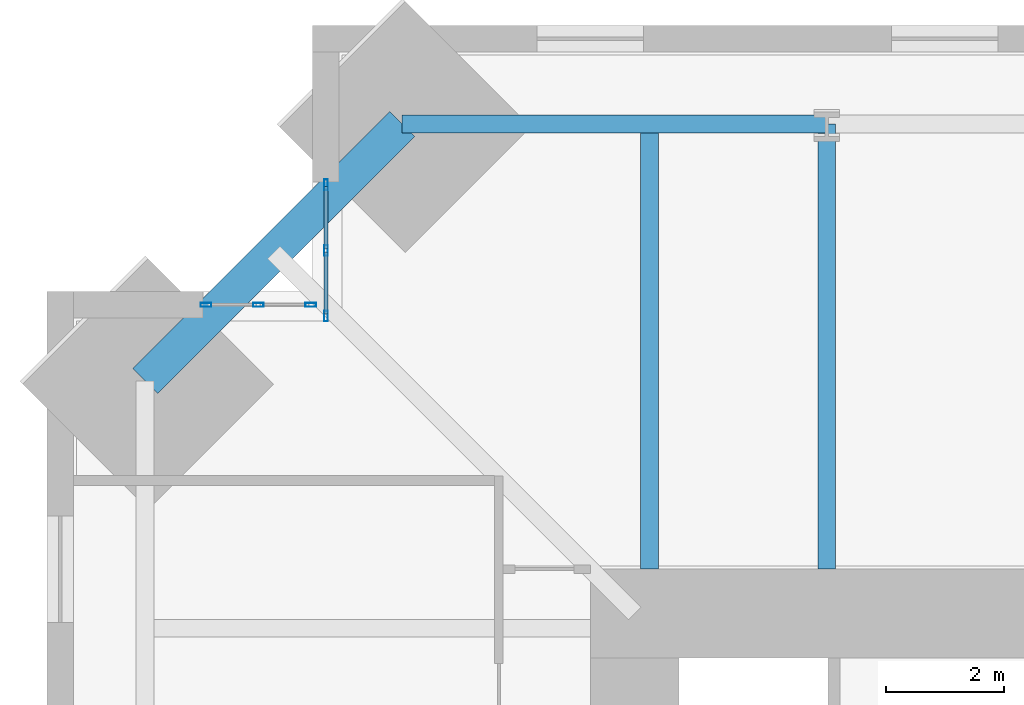
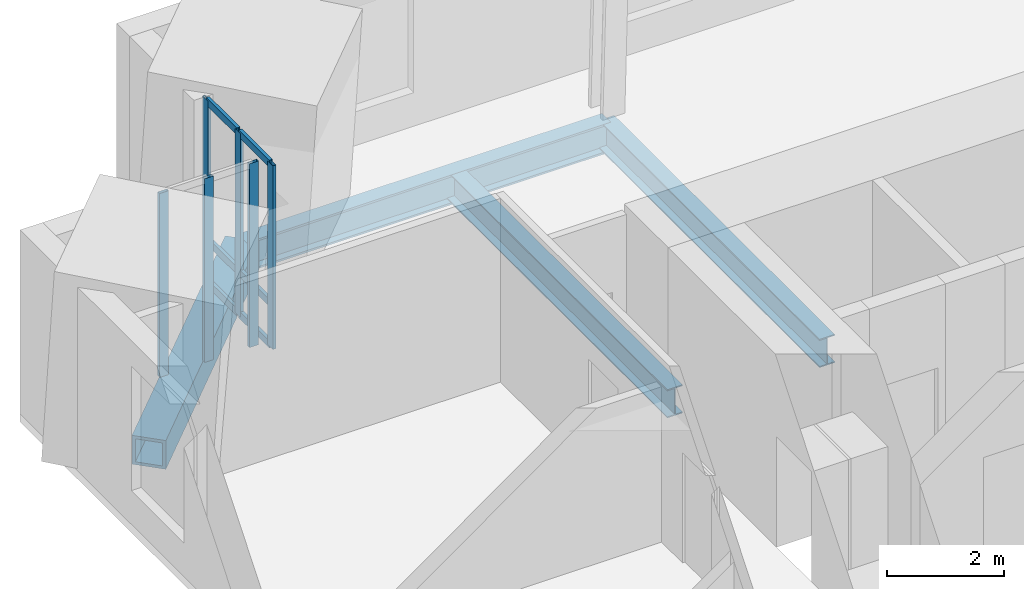
# One storey, part 6 of 15: 12 members, 4 beams, 2 elements without a shape of their own.
"""IFC4 building model written with IfcOpenShell, lengths in metres."""

from ifc_helpers import new_model, si_unit, direction, frame, origin, origin_2d, place, context, subcontext, project, spatial, hollow_rectangle, i_section, extrude, material, material_profile, profile_set, type_object, element, aggregate, save


model = new_model("IFC4")

# Units and contexts
model_context = context("Model", 3, precision=1e-05, world=origin(), true_north=direction((0.0, 1.0)))
body_context = subcontext(model_context, "Body", "Model", "MODEL_VIEW")
ifc_project = project(units=[si_unit("LENGTHUNIT", "METRE"), si_unit("AREAUNIT", "SQUARE_METRE"), si_unit("VOLUMEUNIT", "CUBIC_METRE"), si_unit("PLANEANGLEUNIT", "RADIAN"), si_unit("MASSUNIT", "GRAM", prefix="KILO")], contexts=[model_context])

# Site, building, storey
site_placement = place(None, origin())
site = spatial("IfcSite", under=ifc_project, at=site_placement, CompositionType="ELEMENT")
building_placement = place(site_placement, origin())
building = spatial("IfcBuilding", under=site, at=building_placement, Name="Peilmerk Tower", CompositionType="ELEMENT")
storey_placement = place(building_placement, frame((0.0, 0.0, 281.800048828125)))
storey = spatial("IfcBuildingStorey", under=building, at=storey_placement, Name="L63", CompositionType="ELEMENT", Elevation=281.800048828125)

# Beams
ifc_material_1 = material(Name="Steel S460", Category="steel")
ifc_material_profile_1 = material_profile(ifc_material_1, hollow_rectangle(XDim=0.60009765625, YDim=0.60009765625, WallThickness=0.06005859375, at=origin_2d()), Name="BOX 600x600x60")
ifc_profile_set_1 = profile_set([ifc_material_profile_1], Name="Steel S460")
beam_type_1 = type_object("IfcBeamType", Name="B20 BOX 600x600x60 notch beam", PredefinedType="SPANDREL", material=ifc_profile_set_1)
beam_1_placement = place(storey_placement, frame((-19.533935546875, 15.183837890625, -0.469970703125), z_axis=(0.707106781187, 0.707106781187, 0.0), x_axis=(-0.707106781187, 0.707106781187, 0.0)))
element("IfcBeam", 1, at=beam_1_placement, inside=storey, type_object=beam_type_1, Name="Notch beam L63", PredefinedType="SPANDREL", context=body_context, shape_type="SweptSolid", body=[
    extrude(hollow_rectangle(XDim=0.60009765625, YDim=0.60009765625, WallThickness=0.06005859375, at=origin_2d()), origin(), (0.0, 0.0, 1.0), 6.15185546875),
])
ifc_material_2 = material(Name="Steel S355", Category="steel")
ifc_material_profile_2 = material_profile(ifc_material_2, i_section(OverallWidth=0.300048828125, OverallDepth=0.590087890625, WebThickness=0.012939453125, FlangeThickness=0.02490234375, at=origin_2d()), Name="HEA 600")
ifc_profile_set_2 = profile_set([ifc_material_profile_2], Name="Steel S355")
beam_type_2 = type_object("IfcBeamType", Name="B27 HEA 600 floor beam", PredefinedType="BEAM", material=ifc_profile_set_2)
for number, where, z_axis, x_axis, name in (
    (2, (-8.0, 12.0, -0.465087890625), (0.0, 1.0, 0.0), (-1.0, 0.0, 0.0), "Floor beam L63"),
    (3, (-11.0, 12.0, -0.465087890625), (0.0, 1.0, 0.0), (-1.0, 0.0, 0.0), "Floor beam L63"),
):
    element("IfcBeam", number, at=place(storey_placement, frame(where, z_axis=z_axis, x_axis=x_axis)), inside=storey, type_object=beam_type_2, Name=name, PredefinedType="BEAM", context=body_context, shape_type="SweptSolid", body=[
        extrude(i_section(OverallWidth=0.300048828125, OverallDepth=0.590087890625, WebThickness=0.012939453125, FlangeThickness=0.02490234375, at=origin_2d()), origin(), (0.0, 0.0, 1.0), 7.533935546875),
    ])
ifc_material_profile_3 = material_profile(ifc_material_2, i_section(OverallWidth=0.304931640625, OverallDepth=0.6201171875, WebThickness=0.02099609375, FlangeThickness=0.0400390625, at=origin_2d()), Name="HEM 600")
ifc_profile_set_3 = profile_set([ifc_material_profile_3], Name="Steel S355")
beam_type_3 = type_object("IfcBeamType", Name="B31 HEM 600 edge beam", PredefinedType="SPANDREL", material=ifc_profile_set_3)
beam_2_placement = place(storey_placement, frame((-8.0, 19.533935546875, -0.47998046875), z_axis=(-1.0, 0.0, 0.0), x_axis=(0.0, -1.0, 0.0)))
element("IfcBeam", 4, at=beam_2_placement, inside=storey, type_object=beam_type_3, Name="Edge beam L63", PredefinedType="SPANDREL", context=body_context, shape_type="SweptSolid", body=[
    extrude(i_section(OverallWidth=0.304931640625, OverallDepth=0.6201171875, WebThickness=0.02099609375, FlangeThickness=0.0400390625, at=origin_2d()), origin(), (0.0, 0.0, 1.0), 7.183837890625),
])

# Curtain wall, members
ifc_material_3 = material(Name="Aluminium stick curtain wall", Category="aluminium")
curtain_wall_type = type_object("IfcCurtainWallType", Name="CW4 stick curtain wall, 2250 module", PredefinedType="NOTDEFINED", material=ifc_material_3)
curtain_wall_1_placement = place(storey_placement, origin())
curtain_wall_1 = element("IfcCurtainWall", 5, at=curtain_wall_1_placement, inside=storey, type_object=curtain_wall_type, Name="Curtain wall CW4 NWA L63", PredefinedType="NOTDEFINED")
ifc_material_4 = material(Name="Aluminium EN AW-6063 T6", Category="aluminium")
ifc_material_profile_4 = material_profile(ifc_material_4, hollow_rectangle(XDim=0.06494140625, YDim=0.179931640625, WallThickness=0.0029296875, at=origin_2d()), Name="AL 180x65x3")
ifc_profile_set_4 = profile_set([ifc_material_profile_4], Name="Aluminium EN AW-6063 T6")
member_type_1 = type_object("IfcMemberType", Name="CW4-M AL 180x65x3 mullion", PredefinedType="MULLION", material=ifc_profile_set_4)
member_1_placement = place(storey_placement, frame((-16.47509765625, 16.282470703125, 0.0), z_axis=(0.0, 0.0, 1.0), x_axis=(-1.0, 0.0, 0.0)))
member_1 = element("IfcMember", 6, at=member_1_placement, type_object=member_type_1, Name="CW4 mullion 1", PredefinedType="MULLION", context=body_context, shape_type="SweptSolid", body=[
    extrude(hollow_rectangle(XDim=0.06494140625, YDim=0.179931640625, WallThickness=0.0029296875, at=origin_2d()), origin(), (0.0, 0.0, 1.0), 3.829833984375),
])
member_2_placement = place(storey_placement, frame((-16.47509765625, 17.394287109375, 0.0), z_axis=(0.0, 0.0, 1.0), x_axis=(-1.0, 0.0, 0.0)))
member_2 = element("IfcMember", 7, at=member_2_placement, type_object=member_type_1, Name="CW4 mullion 2", PredefinedType="MULLION", context=body_context, shape_type="SweptSolid", body=[
    extrude(hollow_rectangle(XDim=0.06494140625, YDim=0.179931640625, WallThickness=0.0029296875, at=origin_2d()), origin(), (0.0, 0.0, 1.0), 3.829833984375),
])
member_3_placement = place(storey_placement, frame((-16.47509765625, 18.506103515625, 0.0), z_axis=(0.0, 0.0, 1.0), x_axis=(-1.0, 0.0, 0.0)))
member_3 = element("IfcMember", 8, at=member_3_placement, type_object=member_type_1, Name="CW4 mullion 3", PredefinedType="MULLION", context=body_context, shape_type="SweptSolid", body=[
    extrude(hollow_rectangle(XDim=0.06494140625, YDim=0.179931640625, WallThickness=0.0029296875, at=origin_2d()), origin(), (0.0, 0.0, 1.0), 3.829833984375),
])

curtain_wall_2_placement = place(storey_placement, origin())
curtain_wall_2 = element("IfcCurtainWall", 9, at=curtain_wall_2_placement, inside=storey, type_object=curtain_wall_type, Name="Curtain wall CW4 NWB L63", PredefinedType="NOTDEFINED")
member_4_placement = place(storey_placement, frame((-16.732421875, 16.47509765625, 0.0), z_axis=(0.0, 0.0, 1.0), x_axis=(0.0, -1.0, 0.0)))
member_4 = element("IfcMember", 10, at=member_4_placement, type_object=member_type_1, Name="CW4 mullion 1", PredefinedType="MULLION", context=body_context, shape_type="SweptSolid", body=[
    extrude(hollow_rectangle(XDim=0.06494140625, YDim=0.179931640625, WallThickness=0.0029296875, at=origin_2d()), origin(), (0.0, 0.0, 1.0), 3.829833984375),
])
member_5_placement = place(storey_placement, frame((-17.619384765625, 16.47509765625, 0.0), z_axis=(0.0, 0.0, 1.0), x_axis=(0.0, -1.0, 0.0)))
member_5 = element("IfcMember", 11, at=member_5_placement, type_object=member_type_1, Name="CW4 mullion 2", PredefinedType="MULLION", context=body_context, shape_type="SweptSolid", body=[
    extrude(hollow_rectangle(XDim=0.06494140625, YDim=0.179931640625, WallThickness=0.0029296875, at=origin_2d()), origin(), (0.0, 0.0, 1.0), 3.829833984375),
])
member_6_placement = place(storey_placement, frame((-18.506103515625, 16.47509765625, 0.0), z_axis=(0.0, 0.0, 1.0), x_axis=(0.0, -1.0, 0.0)))
member_6 = element("IfcMember", 12, at=member_6_placement, type_object=member_type_1, Name="CW4 mullion 3", PredefinedType="MULLION", context=body_context, shape_type="SweptSolid", body=[
    extrude(hollow_rectangle(XDim=0.06494140625, YDim=0.179931640625, WallThickness=0.0029296875, at=origin_2d()), origin(), (0.0, 0.0, 1.0), 3.829833984375),
])
aggregate(curtain_wall_2, [member_4, member_5, member_6])

# Member
ifc_material_profile_5 = material_profile(ifc_material_4, hollow_rectangle(XDim=0.06494140625, YDim=0.14990234375, WallThickness=0.0029296875, at=origin_2d()), Name="AL 150x65x3")
ifc_profile_set_5 = profile_set([ifc_material_profile_5], Name="Aluminium EN AW-6063 T6")
member_type_2 = type_object("IfcMemberType", Name="CW4-T AL 150x65x3 transom", PredefinedType="USERDEFINED", material=ifc_profile_set_5)
member_7_placement = place(storey_placement, frame((-16.47509765625, 16.31494140625, 0.032470703125), z_axis=(0.0, 1.0, 0.0), x_axis=(-1.0, 0.0, 0.0)))
member_7 = element("IfcMember", 13, at=member_7_placement, type_object=member_type_2, Name="CW4 transom 1.1", ObjectType="TRANSOM", PredefinedType="USERDEFINED", context=body_context, shape_type="SweptSolid", body=[
    extrude(hollow_rectangle(XDim=0.06494140625, YDim=0.14990234375, WallThickness=0.0029296875, at=origin_2d()), origin(), (0.0, 0.0, 1.0), 1.046875),
])

member_8_placement = place(storey_placement, frame((-16.47509765625, 16.31494140625, 0.89990234375), z_axis=(0.0, 1.0, 0.0), x_axis=(-1.0, 0.0, 0.0)))
member_8 = element("IfcMember", 14, at=member_8_placement, type_object=member_type_2, Name="CW4 transom 1.2", ObjectType="TRANSOM", PredefinedType="USERDEFINED", context=body_context, shape_type="SweptSolid", body=[
    extrude(hollow_rectangle(XDim=0.06494140625, YDim=0.14990234375, WallThickness=0.0029296875, at=origin_2d()), origin(), (0.0, 0.0, 1.0), 1.046875),
])

member_9_placement = place(storey_placement, frame((-16.47509765625, 16.31494140625, 3.79736328125), z_axis=(0.0, 1.0, 0.0), x_axis=(-1.0, 0.0, 0.0)))
member_9 = element("IfcMember", 15, at=member_9_placement, type_object=member_type_2, Name="CW4 transom 1.3", ObjectType="TRANSOM", PredefinedType="USERDEFINED", context=body_context, shape_type="SweptSolid", body=[
    extrude(hollow_rectangle(XDim=0.06494140625, YDim=0.14990234375, WallThickness=0.0029296875, at=origin_2d()), origin(), (0.0, 0.0, 1.0), 1.046875),
])

member_10_placement = place(storey_placement, frame((-16.47509765625, 17.4267578125, 0.032470703125), z_axis=(0.0, 1.0, 0.0), x_axis=(-1.0, 0.0, 0.0)))
member_10 = element("IfcMember", 16, at=member_10_placement, type_object=member_type_2, Name="CW4 transom 2.1", ObjectType="TRANSOM", PredefinedType="USERDEFINED", context=body_context, shape_type="SweptSolid", body=[
    extrude(hollow_rectangle(XDim=0.06494140625, YDim=0.14990234375, WallThickness=0.0029296875, at=origin_2d()), origin(), (0.0, 0.0, 1.0), 1.046875),
])

member_11_placement = place(storey_placement, frame((-16.47509765625, 17.4267578125, 0.89990234375), z_axis=(0.0, 1.0, 0.0), x_axis=(-1.0, 0.0, 0.0)))
member_11 = element("IfcMember", 17, at=member_11_placement, type_object=member_type_2, Name="CW4 transom 2.2", ObjectType="TRANSOM", PredefinedType="USERDEFINED", context=body_context, shape_type="SweptSolid", body=[
    extrude(hollow_rectangle(XDim=0.06494140625, YDim=0.14990234375, WallThickness=0.0029296875, at=origin_2d()), origin(), (0.0, 0.0, 1.0), 1.046875),
])

member_12_placement = place(storey_placement, frame((-16.47509765625, 17.4267578125, 3.79736328125), z_axis=(0.0, 1.0, 0.0), x_axis=(-1.0, 0.0, 0.0)))
member_12 = element("IfcMember", 18, at=member_12_placement, type_object=member_type_2, Name="CW4 transom 2.3", ObjectType="TRANSOM", PredefinedType="USERDEFINED", context=body_context, shape_type="SweptSolid", body=[
    extrude(hollow_rectangle(XDim=0.06494140625, YDim=0.14990234375, WallThickness=0.0029296875, at=origin_2d()), origin(), (0.0, 0.0, 1.0), 1.046875),
])

aggregate(curtain_wall_1, [member_1, member_2, member_3, member_7, member_8, member_9, member_10, member_11, member_12])

save(model, "model.ifc")
